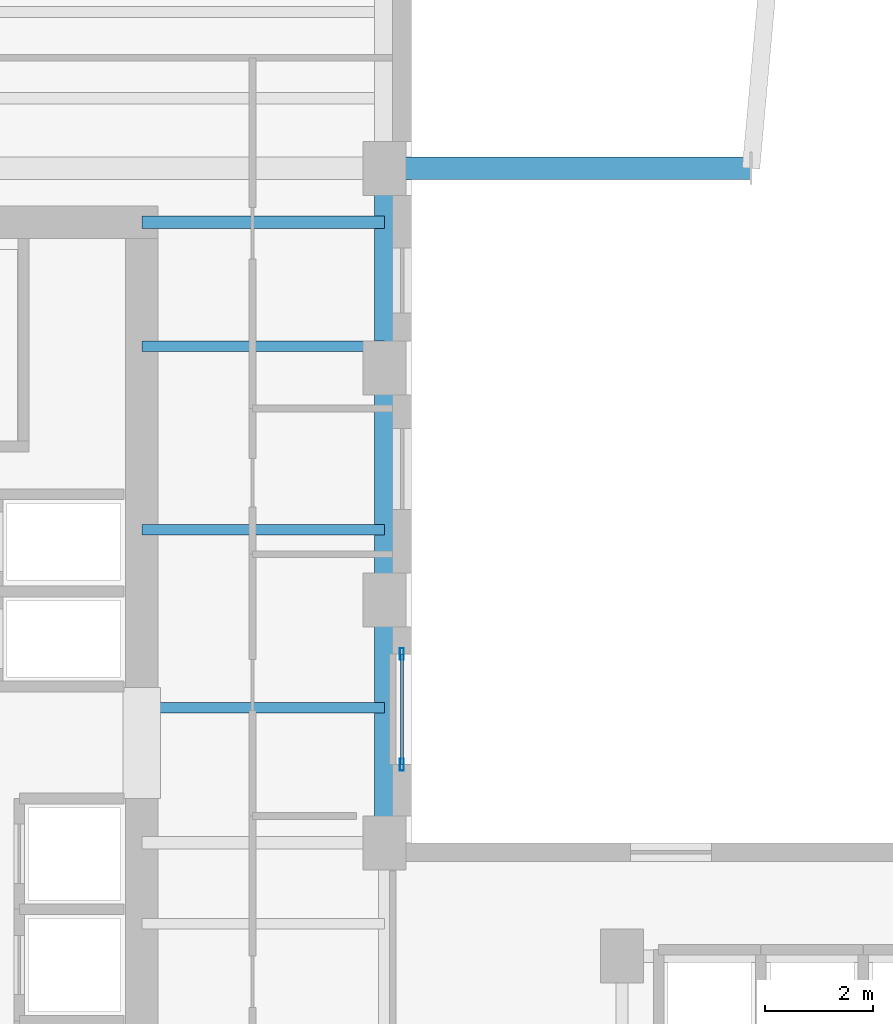
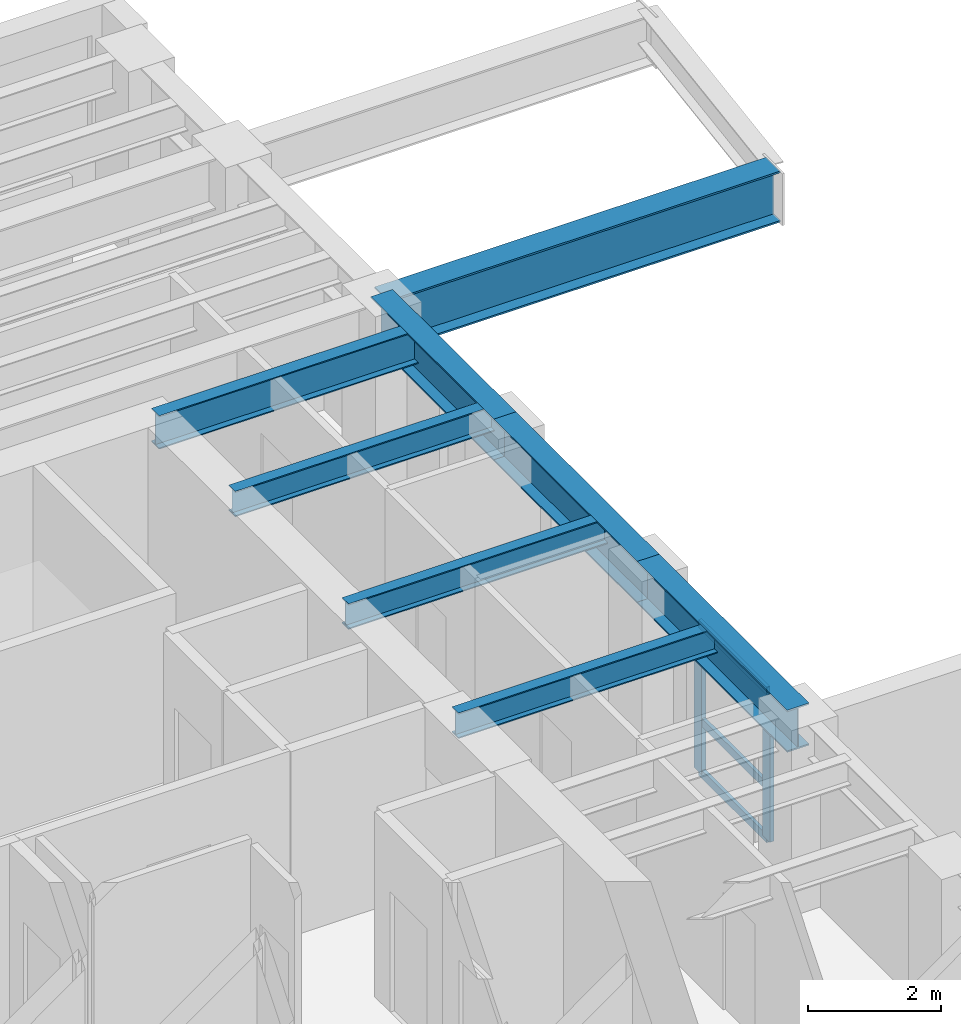
# One storey, part 2 of 13: 8 beams, 5 members, 1 element without a shape of its own.
"""IFC4 building model written with IfcOpenShell, lengths in metres."""

from ifc_helpers import new_model, si_unit, direction, frame, origin, origin_2d, place, context, subcontext, project, spatial, hollow_rectangle, i_section, extrude, source, transform, mapped, material, layer, layer_set, material_profile, profile_set, type_object, element, aggregate, save


model = new_model("IFC4")

# Units and contexts
model_context = context("Model", 3, precision=1e-05, world=origin(), true_north=direction((0.0, 1.0)))
body_context = subcontext(model_context, "Body", "Model", "MODEL_VIEW")
ifc_project = project(units=[si_unit("LENGTHUNIT", "METRE"), si_unit("AREAUNIT", "SQUARE_METRE"), si_unit("VOLUMEUNIT", "CUBIC_METRE"), si_unit("PLANEANGLEUNIT", "RADIAN"), si_unit("MASSUNIT", "GRAM", prefix="KILO")], contexts=[model_context])

# Site, building, storey
site_placement = place(None, origin())
site = spatial("IfcSite", under=ifc_project, at=site_placement, CompositionType="ELEMENT")
building_placement = place(site_placement, origin())
building = spatial("IfcBuilding", under=site, at=building_placement, Name="Kharzan Plaza Tower", CompositionType="ELEMENT")
storey_placement = place(building_placement, frame((0.0, 0.0, 153.89990234375)))
storey = spatial("IfcBuildingStorey", under=building, at=storey_placement, Name="L41", CompositionType="ELEMENT", Elevation=153.89990234375)

# Beams
ifc_material_1 = material(Name="Steel S355", Category="steel")
ifc_material_profile_1 = material_profile(ifc_material_1, i_section(OverallWidth=0.194091796875, OverallDepth=0.468994140625, WebThickness=0.011474609375, FlangeThickness=0.0205078125, at=origin_2d()), Name="W460x106")
ifc_profile_set_1 = profile_set([ifc_material_profile_1], Name="Steel S355")
beam_type_1 = type_object("IfcBeamType", Name="BM-JST460", PredefinedType="JOIST", material=ifc_profile_set_1)
shared_shape_1 = source(origin(), body_context, "Body", "SweptSolid", [
    extrude(i_section(OverallWidth=0.194091796875, OverallDepth=0.468994140625, WebThickness=0.011474609375, FlangeThickness=0.0205078125, at=origin_2d()), origin(), (0.0, 0.0, 1.0), 4.5),
])
for number, where, z_axis, x_axis, name in (
    (1, (14.5, 20.5, 3.16552734375), (1.0, 0.0, 0.0), (0.0, 1.0, 0.0), "L41 Wing A East Infill Joist 4"),
    (2, (14.5, 23.800048828125, 3.16552734375), (1.0, 0.0, 0.0), (0.0, 1.0, 0.0), "L41 Wing A East Infill Joist 5"),
    (3, (14.5, 27.199951171875, 3.16552734375), (1.0, 0.0, 0.0), (0.0, 1.0, 0.0), "L41 Wing A East Infill Joist 6"),
):
    element("IfcBeam", number, at=place(storey_placement, frame(where, z_axis=z_axis, x_axis=x_axis)), inside=storey, type_object=beam_type_1, Name=name, PredefinedType="JOIST", context=body_context, shape_type="MappedRepresentation", body=[
        mapped(shared_shape_1, transform((0.0, 0.0, 0.0), x_axis=(1.0, 0.0, 0.0), y_axis=(0.0, 1.0, 0.0), z_axis=(0.0, 0.0, 1.0))),
    ])
ifc_material_profile_2 = material_profile(ifc_material_1, i_section(OverallWidth=0.41796875, OverallDepth=0.93701171875, WebThickness=0.019287109375, FlangeThickness=0.031982421875, at=origin_2d()), Name="W920x342")
ifc_profile_set_2 = profile_set([ifc_material_profile_2], Name="Steel S355")
beam_type_2 = type_object("IfcBeamType", Name="BM-ZTG920", PredefinedType="BEAM", material=ifc_profile_set_2)
shared_shape_2 = source(origin(), body_context, "Body", "SweptSolid", [
    extrude(i_section(OverallWidth=0.41796875, OverallDepth=0.93701171875, WebThickness=0.019287109375, FlangeThickness=0.031982421875, at=origin_2d()), origin(), (0.0, 0.0, 1.0), 6.7900390625),
])
beam_1_placement = place(storey_placement, frame((19.0, 30.5, 2.91650390625), z_axis=(1.0, 0.0, 0.0), x_axis=(0.0, 1.0, 0.0)))
element("IfcBeam", 4, at=beam_1_placement, inside=storey, type_object=beam_type_2, Name="L41 Sky-Terrace Cantilever Girder ZTG1 (L42 G1)", PredefinedType="BEAM", context=body_context, shape_type="MappedRepresentation", body=[
    mapped(shared_shape_2, transform((0.0, 0.0, 0.0), x_axis=(1.0, 0.0, 0.0), y_axis=(0.0, 1.0, 0.0), z_axis=(0.0, 0.0, 1.0))),
])

# Curtain wall, members
ifc_material_2 = material(Name="Unitised Bronze-Anodized Aluminium and Low-E Glass", Category="aluminium")
ifc_layer = layer(ifc_material_2, 0.199951171875)
ifc_layer_set = layer_set([ifc_layer], Name="Unitised Bronze-Anodized Aluminium and Low-E Glass")
curtain_wall_type = type_object("IfcCurtainWallType", Name="CW-SLOT-3", PredefinedType="NOTDEFINED", material=ifc_layer_set)
curtain_wall_placement = place(storey_placement, origin())
curtain_wall = element("IfcCurtainWall", 5, at=curtain_wall_placement, inside=storey, type_object=curtain_wall_type, Name="L41 West Slot Recessed Spine Curtain Wall", PredefinedType="NOTDEFINED")
ifc_material_3 = material(Name="Anodized Bronze Aluminium", Category="aluminium")
ifc_material_profile_3 = material_profile(ifc_material_3, hollow_rectangle(XDim=0.06005859375, YDim=0.14990234375, WallThickness=0.00341796875, at=origin_2d()), Name="ALU-T150x60x3.5")
ifc_profile_set_3 = profile_set([ifc_material_profile_3], Name="Anodized Bronze Aluminium")
member_type_1 = type_object("IfcMemberType", Name="MEM-CW-TRN150", PredefinedType="USERDEFINED", material=ifc_profile_set_3)
shared_shape_3 = source(origin(), body_context, "Body", "SweptSolid", [
    extrude(hollow_rectangle(XDim=0.06005859375, YDim=0.14990234375, WallThickness=0.00341796875, at=origin_2d()), origin(), (0.0, 0.0, 1.0), 2.050048828125),
])
member_1_placement = place(storey_placement, frame((19.320068359375, 19.449951171875, 0.0), z_axis=(0.0, 1.0, 0.0), x_axis=(-1.0, 0.0, 0.0)))
member_1 = element("IfcMember", 6, at=member_1_placement, type_object=member_type_1, Name="L41 Curtain-Wall Transom 1", ObjectType="TRANSOM", PredefinedType="USERDEFINED", context=body_context, shape_type="MappedRepresentation", body=[
    mapped(shared_shape_3, transform((0.0, 0.0, 0.0), x_axis=(1.0, 0.0, 0.0), y_axis=(0.0, 1.0, 0.0), z_axis=(0.0, 0.0, 1.0))),
])
member_2_placement = place(storey_placement, frame((19.320068359375, 19.449951171875, 0.9501953125), z_axis=(0.0, 1.0, 0.0), x_axis=(-1.0, 0.0, 0.0)))
member_2 = element("IfcMember", 7, at=member_2_placement, type_object=member_type_1, Name="L41 Curtain-Wall Transom 2", ObjectType="TRANSOM", PredefinedType="USERDEFINED", context=body_context, shape_type="MappedRepresentation", body=[
    mapped(shared_shape_3, transform((0.0, 0.0, 0.0), x_axis=(1.0, 0.0, 0.0), y_axis=(0.0, 1.0, 0.0), z_axis=(0.0, 0.0, 1.0))),
])
member_3_placement = place(storey_placement, frame((19.320068359375, 19.449951171875, 2.7001953125), z_axis=(0.0, 1.0, 0.0), x_axis=(-1.0, 0.0, 0.0)))
member_3 = element("IfcMember", 8, at=member_3_placement, type_object=member_type_1, Name="L41 Curtain-Wall Transom 3", ObjectType="TRANSOM", PredefinedType="USERDEFINED", context=body_context, shape_type="MappedRepresentation", body=[
    mapped(shared_shape_3, transform((0.0, 0.0, 0.0), x_axis=(1.0, 0.0, 0.0), y_axis=(0.0, 1.0, 0.0), z_axis=(0.0, 0.0, 1.0))),
])
ifc_material_profile_4 = material_profile(ifc_material_3, hollow_rectangle(XDim=0.074951171875, YDim=0.219970703125, WallThickness=0.00390625, at=origin_2d()), Name="ALU-M220x75x4")
ifc_profile_set_4 = profile_set([ifc_material_profile_4], Name="Anodized Bronze Aluminium")
member_type_2 = type_object("IfcMemberType", Name="MEM-CW-MUL200", PredefinedType="MULLION", material=ifc_profile_set_4)
shared_shape_4 = source(origin(), body_context, "Body", "SweptSolid", [
    extrude(hollow_rectangle(XDim=0.074951171875, YDim=0.219970703125, WallThickness=0.00390625, at=origin_2d()), origin(), (0.0, 0.0, 1.0), 2.7001953125),
])
member_4_placement = place(storey_placement, frame((19.320068359375, 19.449951171875, 0.0), z_axis=(0.0, 0.0, 1.0), x_axis=(1.0, 0.0, 0.0)))
member_4 = element("IfcMember", 9, at=member_4_placement, type_object=member_type_2, Name="L41 Curtain-Wall Mullion 00", PredefinedType="MULLION", context=body_context, shape_type="MappedRepresentation", body=[
    mapped(shared_shape_4, transform((0.0, 0.0, 0.0), x_axis=(1.0, 0.0, 0.0), y_axis=(0.0, 1.0, 0.0), z_axis=(0.0, 0.0, 1.0))),
])
member_5_placement = place(storey_placement, frame((19.320068359375, 21.5, 0.0), z_axis=(0.0, 0.0, 1.0), x_axis=(1.0, 0.0, 0.0)))
member_5 = element("IfcMember", 10, at=member_5_placement, type_object=member_type_2, Name="L41 Curtain-Wall Mullion 01", PredefinedType="MULLION", context=body_context, shape_type="MappedRepresentation", body=[
    mapped(shared_shape_4, transform((0.0, 0.0, 0.0), x_axis=(1.0, 0.0, 0.0), y_axis=(0.0, 1.0, 0.0), z_axis=(0.0, 0.0, 1.0))),
])
aggregate(curtain_wall, [member_4, member_5, member_1, member_2, member_3])

# Beams
ifc_material_profile_5 = material_profile(ifc_material_1, i_section(OverallWidth=0.22900390625, OverallDepth=0.612060546875, WebThickness=0.011962890625, FlangeThickness=0.01953125, at=origin_2d()), Name="W610x125")
ifc_profile_set_5 = profile_set([ifc_material_profile_5], Name="Steel S355")
beam_type_3 = type_object("IfcBeamType", Name="BM-FG610B", PredefinedType="BEAM", material=ifc_profile_set_5)
shared_shape_5 = source(origin(), body_context, "Body", "SweptSolid", [
    extrude(i_section(OverallWidth=0.22900390625, OverallDepth=0.612060546875, WebThickness=0.011962890625, FlangeThickness=0.01953125, at=origin_2d()), origin(), (0.0, 0.0, 1.0), 4.5),
])
beam_2_placement = place(storey_placement, frame((14.5, 29.5, 3.093994140625), z_axis=(1.0, 0.0, 0.0), x_axis=(0.0, 1.0, 0.0)))
element("IfcBeam", 11, at=beam_2_placement, inside=storey, type_object=beam_type_3, Name="L41 Core-A East Floor Girder 3", PredefinedType="BEAM", context=body_context, shape_type="MappedRepresentation", body=[
    mapped(shared_shape_5, transform((0.0, 0.0, 0.0), x_axis=(1.0, 0.0, 0.0), y_axis=(0.0, 1.0, 0.0), z_axis=(0.0, 0.0, 1.0))),
])
ifc_material_profile_6 = material_profile(ifc_material_1, i_section(OverallWidth=0.381103515625, OverallDepth=0.77294921875, WebThickness=0.0166015625, FlangeThickness=0.027587890625, at=origin_2d()), Name="W760x257")
ifc_profile_set_6 = profile_set([ifc_material_profile_6], Name="Steel S355")
beam_type_4 = type_object("IfcBeamType", Name="BM-SP760A", PredefinedType="SPANDREL", material=ifc_profile_set_6)
shared_shape_6 = source(origin(), body_context, "Body", "SweptSolid", [
    extrude(i_section(OverallWidth=0.381103515625, OverallDepth=0.77294921875, WebThickness=0.0166015625, FlangeThickness=0.027587890625, at=origin_2d()), origin(), (0.0, 0.0, 1.0), 4.5),
])
beam_3_placement = place(storey_placement, frame((19.0, 18.0, 3.013671875), z_axis=(0.0, 1.0, 0.0), x_axis=(-1.0, 0.0, 0.0)))
element("IfcBeam", 12, at=beam_3_placement, inside=storey, type_object=beam_type_4, Name="L41 Perimeter Tube Spandrel", PredefinedType="SPANDREL", context=body_context, shape_type="MappedRepresentation", body=[
    mapped(shared_shape_6, transform((0.0, 0.0, 0.0), x_axis=(1.0, 0.0, 0.0), y_axis=(0.0, 1.0, 0.0), z_axis=(0.0, 0.0, 1.0))),
])
shared_shape_7 = source(origin(), body_context, "Body", "SweptSolid", [
    extrude(i_section(OverallWidth=0.381103515625, OverallDepth=0.77294921875, WebThickness=0.0166015625, FlangeThickness=0.027587890625, at=origin_2d()), origin(), (0.0, 0.0, 1.0), 4.300048828125),
])
beam_4_placement = place(storey_placement, frame((19.0, 22.5, 3.013671875), z_axis=(0.0, 1.0, 0.0), x_axis=(-1.0, 0.0, 0.0)))
element("IfcBeam", 13, at=beam_4_placement, inside=storey, type_object=beam_type_4, Name="L41 Perimeter Tube Spandrel", PredefinedType="SPANDREL", context=body_context, shape_type="MappedRepresentation", body=[
    mapped(shared_shape_7, transform((0.0, 0.0, 0.0), x_axis=(1.0, 0.0, 0.0), y_axis=(0.0, 1.0, 0.0), z_axis=(0.0, 0.0, 1.0))),
])
shared_shape_8 = source(origin(), body_context, "Body", "SweptSolid", [
    extrude(i_section(OverallWidth=0.381103515625, OverallDepth=0.77294921875, WebThickness=0.0166015625, FlangeThickness=0.027587890625, at=origin_2d()), origin(), (0.0, 0.0, 1.0), 3.699951171875),
])
beam_5_placement = place(storey_placement, frame((19.0, 26.800048828125, 3.013671875), z_axis=(0.0, 1.0, 0.0), x_axis=(-1.0, 0.0, 0.0)))
element("IfcBeam", 14, at=beam_5_placement, inside=storey, type_object=beam_type_4, Name="L41 Perimeter Tube Spandrel", PredefinedType="SPANDREL", context=body_context, shape_type="MappedRepresentation", body=[
    mapped(shared_shape_8, transform((0.0, 0.0, 0.0), x_axis=(1.0, 0.0, 0.0), y_axis=(0.0, 1.0, 0.0), z_axis=(0.0, 0.0, 1.0))),
])

save(model, "model.ifc")
